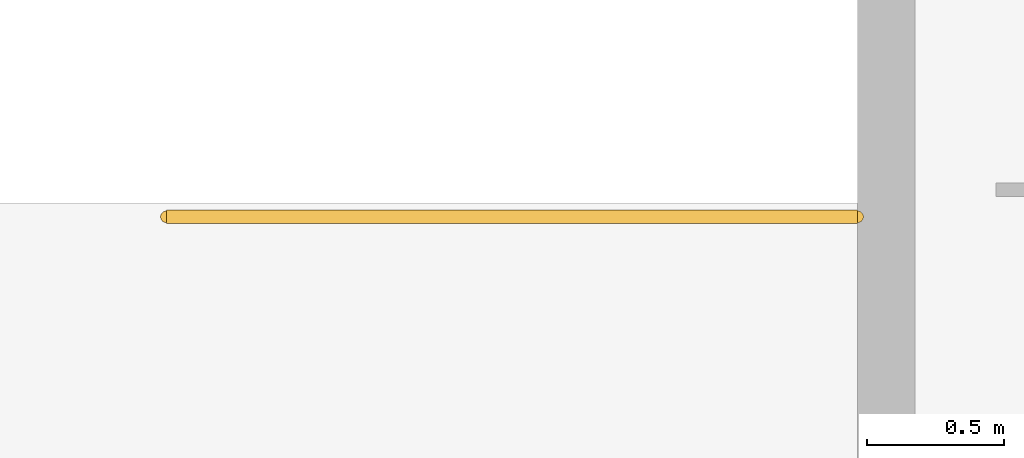
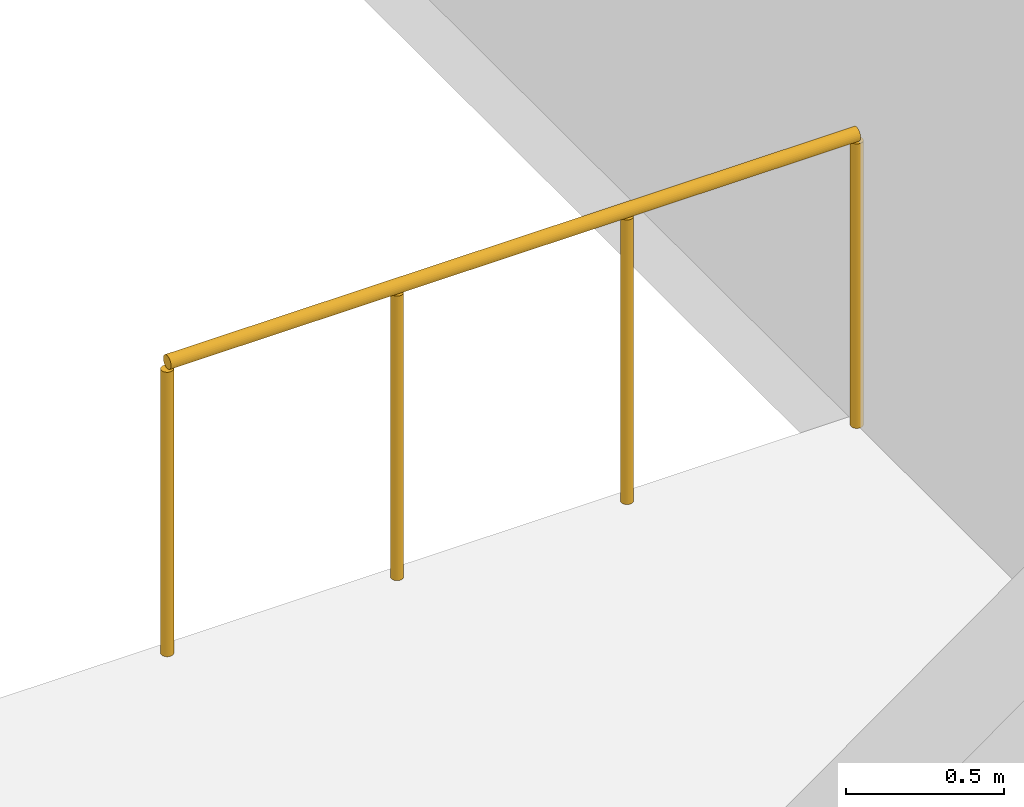
# One storey, part 13 of 13: 1 railing.
"""IFC4 building model written with IfcOpenShell, lengths in metres."""

import ifcopenshell
import ifcopenshell.guid

model = None  # the IFC model being written
_history = None  # IfcOwnerHistory: only IFC2X3 demands one
_inside = {}  # id of a spatial element -> (the spatial element, [elements in it])
_under = {}  # id of a project, library or spatial element -> (it, [spatial elements below it])
_declared = {}  # id of a project -> (the project, [libraries it declares])
_typed = {}  # id of a type object -> (the type object, [elements of that type])
_made_of = {}  # id of a material, layer set ... -> (it, [elements and type objects made of it])


def new_model(schema):
    """Start an empty IFC model of exactly this schema.

    Asked for "IFC4X3", IfcOpenShell would pick the latest addendum, in which some entities
    have other attributes; the version numbers below select the first issue.
    IFC2X3 requires an IfcOwnerHistory on every rooted entity: one is made here for all.
    """
    global model, _history
    if schema == "IFC4X3":
        model = ifcopenshell.file(schema_version=(4, 3, 0, 0))
    else:
        model = ifcopenshell.file(schema=schema)
    _inside.clear()
    _under.clear()
    _declared.clear()
    _typed.clear()
    _made_of.clear()
    _history = None
    if model.schema == "IFC2X3":
        org = make("IfcOrganization", Name="unknown")
        user = make(
            "IfcPersonAndOrganization",
            ThePerson=make("IfcPerson", FamilyName="unknown"),
            TheOrganization=org,
        )
        app = make(
            "IfcApplication",
            ApplicationDeveloper=org,
            Version="unknown",
            ApplicationFullName="unknown",
            ApplicationIdentifier="unknown",
        )
        _history = make(
            "IfcOwnerHistory",
            OwningUser=user,
            OwningApplication=app,
            ChangeAction="ADDED",
            CreationDate=0,
        )
    return model


def make(cls, **values):
    """One entity of the class cls with the attributes given. An attribute that is None is left unset."""
    return model.create_entity(
        cls, **{name: value for name, value in values.items() if value is not None}
    )


def rooted(cls, **values):
    """An entity with a GlobalId (a new one), such as an element, a storey or a relation."""
    return make(cls, GlobalId=ifcopenshell.guid.new(), OwnerHistory=_history, **values)


def si_unit(unit_type, name, prefix=None):
    """IfcSIUnit, for example si_unit("LENGTHUNIT", "METRE", prefix="MILLI")."""
    return make("IfcSIUnit", UnitType=unit_type, Prefix=prefix, Name=name)


def assignment(units):
    """IfcUnitAssignment: the units of a project."""
    return None if units is None else make("IfcUnitAssignment", Units=units)


def point(xyz):
    """IfcCartesianPoint."""
    return None if xyz is None else make("IfcCartesianPoint", Coordinates=xyz)


def direction(xyz):
    """IfcDirection."""
    return None if xyz is None else make("IfcDirection", DirectionRatios=xyz)


def frame(location, z_axis=None, x_axis=None):
    """IfcAxis2Placement3D, a coordinate frame: its origin and axes. An axis left out is left unset."""
    return make(
        "IfcAxis2Placement3D",
        Location=point(location),
        Axis=direction(z_axis),
        RefDirection=direction(x_axis),
    )


def frame_2d(location, x_axis=None):
    """IfcAxis2Placement2D, a coordinate frame in the plane: its origin and x axis."""
    return make(
        "IfcAxis2Placement2D", Location=point(location), RefDirection=direction(x_axis)
    )


def origin():
    """The frame at (0, 0, 0) with its axes left unset."""
    return frame((0.0, 0.0, 0.0))


def origin_2d():
    """The frame at (0, 0) in the plane with its x axis left unset."""
    return frame_2d((0.0, 0.0))


def place(relative_to, where):
    """IfcLocalPlacement: puts the frame where relative to a parent placement (None: the world)."""
    return make(
        "IfcLocalPlacement", PlacementRelTo=relative_to, RelativePlacement=where
    )


def context(
    kind, dimensions, precision=None, world=None, true_north=None, identifier=None
):
    """IfcGeometricRepresentationContext, for example the 3D "Model" context."""
    return make(
        "IfcGeometricRepresentationContext",
        ContextIdentifier=identifier,
        ContextType=kind,
        CoordinateSpaceDimension=dimensions,
        Precision=precision,
        WorldCoordinateSystem=world,
        TrueNorth=true_north,
    )


def subcontext(parent, identifier, kind, view, scale=None):
    """IfcGeometricRepresentationSubContext, for example "Body" below "Model"."""
    return make(
        "IfcGeometricRepresentationSubContext",
        ContextIdentifier=identifier,
        ContextType=kind,
        ParentContext=parent,
        TargetScale=scale,
        TargetView=view,
    )


def project(units=None, contexts=None):
    """IfcProject with its units and contexts."""
    return rooted(
        "IfcProject",
        Name="project",
        RepresentationContexts=contexts,
        UnitsInContext=assignment(units),
    )


def spatial(cls, under=None, at=None, **own):
    """A site, building, storey or space (cls), placed at a placement, below another one or the project."""
    s = rooted(cls, ObjectPlacement=at, **own)
    if under is not None:
        _under.setdefault(under.id(), (under, []))[1].append(s)
    return s


def profile(cls, at=None, kind="AREA", **sizes):
    """A parametric profile (cls). Its sizes go by their IFC names, for example OverallWidth=200.0."""
    return make(cls, ProfileType=kind, Position=at, **sizes)


def circle(**sizes):
    """IfcCircleProfileDef."""
    return profile("IfcCircleProfileDef", **sizes)


def extrude(swept, where, along, depth):
    """IfcExtrudedAreaSolid: the profile swept, set in the frame where, extruded along a direction by depth."""
    return make(
        "IfcExtrudedAreaSolid",
        SweptArea=swept,
        Position=where,
        ExtrudedDirection=direction(along),
        Depth=depth,
    )


def shape(context_of_items, identifier, shape_type, items):
    """IfcShapeRepresentation: the items that make up one representation, for example the "Body"."""
    return make(
        "IfcShapeRepresentation",
        ContextOfItems=context_of_items,
        RepresentationIdentifier=identifier,
        RepresentationType=shape_type,
        Items=items,
    )


def material(Name=None, Category=None):
    """IfcMaterial."""
    return make("IfcMaterial", Name=Name, Category=Category)


def made_of(thing, what):
    """Note that an element or type object is made of a material, layer set ...; save() writes the relation."""
    if what is not None:
        _made_of.setdefault(what.id(), (what, []))[1].append(thing)
    return thing


def type_object(cls, material=None, **own):
    """A type object (cls), such as IfcWallType, which elements share."""
    return made_of(rooted(cls, **own), material)


def element(
    cls,
    number,
    at=None,
    inside=None,
    cuts=None,
    type_object=None,
    material=None,
    context=None,
    identifier="Body",
    shape_type=None,
    held_by="IfcProductDefinitionShape",
    body=None,
    shapes=None,
    **own,
):
    """One element of the class cls, such as IfcWall. Its Tag is "e" and its number.

    at: its placement. inside: the storey or other place that contains it. cuts: it is an
    opening in that element (IfcRelVoidsElement). A single representation is given by context,
    identifier, shape_type and body (its items); several are given by shapes. held_by: the class
    of the entity that holds the representations. save() writes the other relations.
    """
    e = rooted(cls, Tag="e%d" % number, ObjectPlacement=at, **own)
    if body is not None:
        shapes = [shape(context, identifier, shape_type, body)]
    if shapes is not None:
        e.Representation = make(held_by, Representations=shapes)
    if inside is not None:
        _inside.setdefault(inside.id(), (inside, []))[1].append(e)
    if cuts is not None:
        rooted(
            "IfcRelVoidsElement", RelatingBuildingElement=cuts, RelatedOpeningElement=e
        )
    if type_object is not None:
        _typed.setdefault(type_object.id(), (type_object, []))[1].append(e)
    return made_of(e, material)


def aggregate(whole, parts):
    """IfcRelAggregates: a whole, such as a stair, and the parts it consists of."""
    return rooted("IfcRelAggregates", RelatingObject=whole, RelatedObjects=parts)


def save(model, path):
    """Write the relations noted so far, then the file.

    IfcRelAggregates (storeys below a building ...), IfcRelContainedInSpatialStructure (elements
    in a storey), IfcRelDefinesByType, IfcRelAssociatesMaterial and IfcRelDeclares: one each for
    every whole, place, type object, material and project.
    """
    for whole, parts in _under.values():
        aggregate(whole, parts)
    for where, things in _inside.values():
        rooted(
            "IfcRelContainedInSpatialStructure",
            RelatedElements=things,
            RelatingStructure=where,
        )
    for kind, things in _typed.values():
        rooted("IfcRelDefinesByType", RelatedObjects=things, RelatingType=kind)
    for what, things in _made_of.values():
        rooted("IfcRelAssociatesMaterial", RelatedObjects=things, RelatingMaterial=what)
    for by, libraries in _declared.values():
        rooted("IfcRelDeclares", RelatingContext=by, RelatedDefinitions=libraries)
    model.write(path)


model = new_model("IFC4")

# Units and contexts
model_context = context("Model", 3, precision=1e-05, world=origin(), true_north=direction((0.0, 1.0)))
body_context = subcontext(model_context, "Body", "Model", "MODEL_VIEW")
ifc_project = project(units=[si_unit("LENGTHUNIT", "METRE"), si_unit("AREAUNIT", "SQUARE_METRE"), si_unit("VOLUMEUNIT", "CUBIC_METRE"), si_unit("PLANEANGLEUNIT", "RADIAN"), si_unit("MASSUNIT", "GRAM", prefix="KILO")], contexts=[model_context])

# Site, building, storey
site_placement = place(None, origin())
site = spatial("IfcSite", under=ifc_project, at=site_placement, CompositionType="ELEMENT")
building_placement = place(site_placement, origin())
building = spatial("IfcBuilding", under=site, at=building_placement, Name="Velakula Bourse", CompositionType="ELEMENT")
storey_placement = place(building_placement, frame((0.0, 0.0, 22.800048828125)))
storey = spatial("IfcBuildingStorey", under=building, at=storey_placement, Name="L05", CompositionType="ELEMENT", Elevation=22.800048828125)

# Railing
ifc_material = material(Name="Brushed grade 316 stainless steel", Category="steel")
railing_type = type_object("IfcRailingType", Name="RLG-STAIR-GUARD-1150", PredefinedType="BALUSTRADE", material=ifc_material)
railing_placement = place(storey_placement, frame((27.919921875, -22.14990234375, 0.0)))
element("IfcRailing", 1, at=railing_placement, inside=storey, type_object=railing_type, Name="L05 ST-P2 top well guard 1", PredefinedType="BALUSTRADE", context=body_context, shape_type="SweptSolid", body=[
    extrude(circle(Radius=0.02490234375, at=origin_2d()), frame((0.0, 0.0, 1.125), z_axis=(-1.0, 0.0, 0.0), x_axis=(0.0, -1.0, 0.0)), (0.0, 0.0, 1.0), 2.52197265625),
    extrude(circle(Radius=0.02099609375, at=origin_2d()), origin(), (0.0, 0.0, 1.0), 1.099853515625),
    extrude(circle(Radius=0.02099609375, at=origin_2d()), frame((-0.840576171875, 0.0, 0.0)), (0.0, 0.0, 1.0), 1.099853515625),
    extrude(circle(Radius=0.02099609375, at=origin_2d()), frame((-1.681396484375, 0.0, 0.0)), (0.0, 0.0, 1.0), 1.099853515625),
    extrude(circle(Radius=0.02099609375, at=origin_2d()), frame((-2.52197265625, 0.0, 0.0)), (0.0, 0.0, 1.0), 1.099853515625),
])

save(model, "model.ifc")
